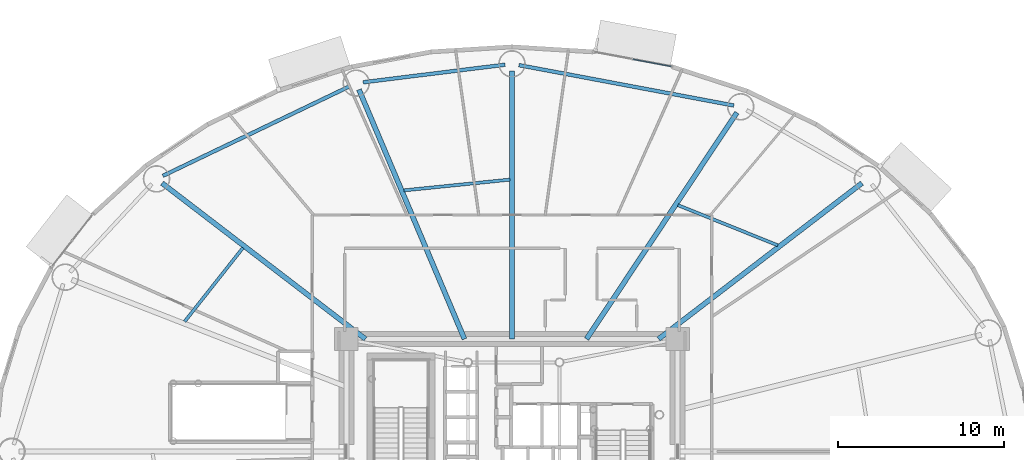
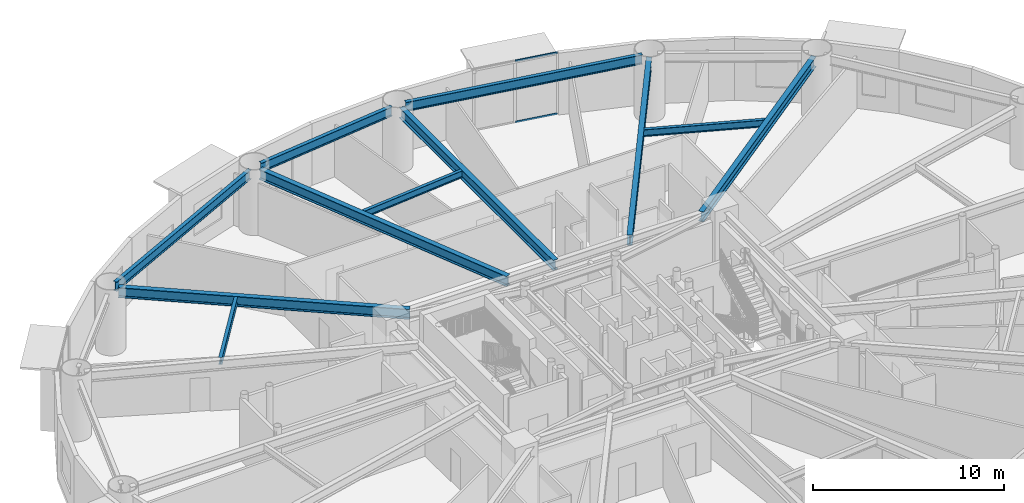
# One storey, part 11 of 28: 11 beams, 2 members, 1 element without a shape of its own.
"""IFC4 building model written with IfcOpenShell, lengths in metres."""

from ifc_helpers import new_model, si_unit, direction, frame, origin, origin_2d, place, context, subcontext, project, spatial, hollow_rectangle, i_section, extrude, source, transform, mapped, material, layer, layer_set, material_profile, profile_set, type_object, element, aggregate, save


model = new_model("IFC4")

# Units and contexts
model_context = context("Model", 3, precision=1e-05, world=origin(), true_north=direction((0.0, 1.0)))
body_context = subcontext(model_context, "Body", "Model", "MODEL_VIEW")
ifc_project = project(units=[si_unit("LENGTHUNIT", "METRE"), si_unit("AREAUNIT", "SQUARE_METRE"), si_unit("VOLUMEUNIT", "CUBIC_METRE"), si_unit("PLANEANGLEUNIT", "RADIAN"), si_unit("MASSUNIT", "GRAM", prefix="KILO")], contexts=[model_context])

# Site, building, storey
site_placement = place(None, origin())
site = spatial("IfcSite", under=ifc_project, at=site_placement, CompositionType="ELEMENT")
building_placement = place(site_placement, origin())
building = spatial("IfcBuilding", under=site, at=building_placement, Name="Linh Dai School and Residence Tower", CompositionType="ELEMENT")
storey_placement = place(building_placement, frame((0.0, 0.0, 57.60009765625)))
storey = spatial("IfcBuildingStorey", under=building, at=storey_placement, Name="L13", CompositionType="ELEMENT", Elevation=57.60009765625)

# Beams
ifc_material_1 = material(Name="Structural Steel S355JR", Category="steel")
ifc_material_profile_1 = material_profile(ifc_material_1, i_section(OverallWidth=0.219970703125, OverallDepth=0.60009765625, WebThickness=0.011962890625, FlangeThickness=0.01904296875, FilletRadius=0.02392578125, at=origin_2d()), Name="IPE 600")
ifc_profile_set_1 = profile_set([ifc_material_profile_1], Name="Structural Steel S355JR")
beam_type_1 = type_object("IfcBeamType", Name="BM-RB60", PredefinedType="BEAM", material=ifc_profile_set_1)
beam_1_placement = place(storey_placement, frame((49.32568359375, 47.776611328125, 3.64990234375), z_axis=(-0.982808389171, 0.184628465236, 0.0), x_axis=(-0.184628465236, -0.982808389171, 0.0)))
element("IfcBeam", 1, at=beam_1_placement, inside=storey, type_object=beam_type_1, Name="L13 Perimeter Elliptical Ring Beam 04", PredefinedType="BEAM", context=body_context, shape_type="SweptSolid", body=[
    extrude(i_section(OverallWidth=0.219970703125, OverallDepth=0.60009765625, WebThickness=0.011962890625, FlangeThickness=0.01904296875, FilletRadius=0.02392578125, at=origin_2d()), origin(), (0.0, 0.0, 1.0), 13.138671875),
])
beam_2_placement = place(storey_placement, frame((35.583251953125, 50.228271484375, 3.64990234375), z_axis=(-0.99240113372, -0.123044665842, 0.0), x_axis=(0.123044665842, -0.99240113372, 0.0)))
element("IfcBeam", 2, at=beam_2_placement, inside=storey, type_object=beam_type_1, Name="L13 Perimeter Elliptical Ring Beam 05", PredefinedType="BEAM", context=body_context, shape_type="SweptSolid", body=[
    extrude(i_section(OverallWidth=0.219970703125, OverallDepth=0.60009765625, WebThickness=0.011962890625, FlangeThickness=0.01904296875, FilletRadius=0.02392578125, at=origin_2d()), origin(), (0.0, 0.0, 1.0), 8.58935546875),
])
beam_3_placement = place(storey_placement, frame((26.263427734375, 48.938232421875, 3.64990234375), z_axis=(-0.901728693485, -0.432302398034, 0.0), x_axis=(0.432302398034, -0.901728693485, 0.0)))
element("IfcBeam", 3, at=beam_3_placement, inside=storey, type_object=beam_type_1, Name="L13 Perimeter Elliptical Ring Beam 06", PredefinedType="BEAM", context=body_context, shape_type="SweptSolid", body=[
    extrude(i_section(OverallWidth=0.219970703125, OverallDepth=0.60009765625, WebThickness=0.011962890625, FlangeThickness=0.01904296875, FilletRadius=0.02392578125, at=origin_2d()), origin(), (0.0, 0.0, 1.0), 12.462158203125),
])
ifc_material_profile_2 = material_profile(ifc_material_1, i_section(OverallWidth=0.300048828125, OverallDepth=0.64990234375, WebThickness=0.01611328125, FlangeThickness=0.031005859375, FilletRadius=0.027099609375, at=origin_2d()), Name="HEB 650")
ifc_profile_set_2 = profile_set([ifc_material_profile_2], Name="Structural Steel S355JR")
beam_type_2 = type_object("IfcBeamType", Name="BM-RG65", PredefinedType="BEAM", material=ifc_profile_set_2)
beam_4_placement = place(storey_placement, frame((44.804931640625, 33.75, 3.625), z_axis=(0.793637764155, 0.608390581212, 0.0), x_axis=(-0.608390581212, 0.793637764155, 0.0)))
element("IfcBeam", 4, at=beam_4_placement, inside=storey, type_object=beam_type_2, Name="L13 Primary Radial Floor Girder 03", PredefinedType="BEAM", context=body_context, shape_type="SweptSolid", body=[
    extrude(i_section(OverallWidth=0.300048828125, OverallDepth=0.64990234375, WebThickness=0.01611328125, FlangeThickness=0.031005859375, FilletRadius=0.027099609375, at=origin_2d()), origin(), (0.0, 0.0, 1.0), 15.390625),
])
beam_5_placement = place(storey_placement, frame((40.47998046875, 33.75, 3.625), z_axis=(0.55300421354, 0.833178456158, 0.0), x_axis=(-0.833178456158, 0.55300421354, 0.0)))
element("IfcBeam", 5, at=beam_5_placement, inside=storey, type_object=beam_type_2, Name="L13 Primary Radial Floor Girder 04", PredefinedType="BEAM", context=body_context, shape_type="SweptSolid", body=[
    extrude(i_section(OverallWidth=0.300048828125, OverallDepth=0.64990234375, WebThickness=0.01611328125, FlangeThickness=0.031005859375, FilletRadius=0.027099609375, at=origin_2d()), origin(), (0.0, 0.0, 1.0), 16.322021484375),
])
beam_6_placement = place(storey_placement, frame((36.0, 33.75, 3.625), z_axis=(0.0, 1.0, 0.0), x_axis=(-1.0, 0.0, 0.0)))
element("IfcBeam", 6, at=beam_6_placement, inside=storey, type_object=beam_type_2, Name="L13 Primary Radial Floor Girder 05", PredefinedType="BEAM", context=body_context, shape_type="SweptSolid", body=[
    extrude(i_section(OverallWidth=0.300048828125, OverallDepth=0.64990234375, WebThickness=0.01611328125, FlangeThickness=0.031005859375, FilletRadius=0.027099609375, at=origin_2d()), origin(), (0.0, 0.0, 1.0), 16.110107421875),
])
beam_7_placement = place(storey_placement, frame((33.14453125, 33.75, 3.625), z_axis=(-0.38962432485, 0.920973878829, 0.0), x_axis=(-0.920973878829, -0.38962432485, 0.0)))
element("IfcBeam", 7, at=beam_7_placement, inside=storey, type_object=beam_type_2, Name="L13 Primary Radial Floor Girder 06", PredefinedType="BEAM", context=body_context, shape_type="SweptSolid", body=[
    extrude(i_section(OverallWidth=0.300048828125, OverallDepth=0.64990234375, WebThickness=0.01611328125, FlangeThickness=0.031005859375, FilletRadius=0.027099609375, at=origin_2d()), origin(), (0.0, 0.0, 1.0), 16.2685546875),
])
beam_8_placement = place(storey_placement, frame((27.195068359375, 33.75, 3.625), z_axis=(-0.793637764155, 0.608390581212, 0.0), x_axis=(-0.608390581212, -0.793637764155, 0.0)))
element("IfcBeam", 8, at=beam_8_placement, inside=storey, type_object=beam_type_2, Name="L13 Primary Radial Floor Girder 07", PredefinedType="BEAM", context=body_context, shape_type="SweptSolid", body=[
    extrude(i_section(OverallWidth=0.300048828125, OverallDepth=0.64990234375, WebThickness=0.01611328125, FlangeThickness=0.031005859375, FilletRadius=0.027099609375, at=origin_2d()), origin(), (0.0, 0.0, 1.0), 15.390625),
])
ifc_material_profile_3 = material_profile(ifc_material_1, i_section(OverallWidth=0.18994140625, OverallDepth=0.449951171875, WebThickness=0.009521484375, FlangeThickness=0.0146484375, FilletRadius=0.02099609375, at=origin_2d()), Name="IPE 450")
ifc_profile_set_3 = profile_set([ifc_material_profile_3], Name="Structural Steel S355JR")
beam_type_3 = type_object("IfcBeamType", Name="BM-SB45", PredefinedType="BEAM", material=ifc_profile_set_3)
beam_9_placement = place(storey_placement, frame((51.962158203125, 39.377685546875, 3.724853515625), z_axis=(-0.927532778422, 0.3737418159, 0.0), x_axis=(-0.3737418159, -0.927532778422, 0.0)))
element("IfcBeam", 9, at=beam_9_placement, inside=storey, type_object=beam_type_3, Name="L13 Secondary Circumferential Floor Beam 02", PredefinedType="BEAM", context=body_context, shape_type="SweptSolid", body=[
    extrude(i_section(OverallWidth=0.18994140625, OverallDepth=0.449951171875, WebThickness=0.009521484375, FlangeThickness=0.0146484375, FilletRadius=0.02099609375, at=origin_2d()), origin(), (0.0, 0.0, 1.0), 6.459716796875),
])
beam_10_placement = place(storey_placement, frame((35.87060546875, 43.32421875, 3.724853515625), z_axis=(-0.994886521003, -0.100999061019, 0.0), x_axis=(0.100999061019, -0.994886521003, 0.0)))
element("IfcBeam", 10, at=beam_10_placement, inside=storey, type_object=beam_type_3, Name="L13 Secondary Circumferential Floor Beam 03", PredefinedType="BEAM", context=body_context, shape_type="SweptSolid", body=[
    extrude(i_section(OverallWidth=0.18994140625, OverallDepth=0.449951171875, WebThickness=0.009521484375, FlangeThickness=0.0146484375, FilletRadius=0.02099609375, at=origin_2d()), origin(), (0.0, 0.0, 1.0), 6.40087890625),
])
beam_11_placement = place(storey_placement, frame((19.836669921875, 39.22705078125, 3.724853515625), z_axis=(-0.620205247605, -0.78443957756, 0.0), x_axis=(0.78443957756, -0.620205247605, 0.0)))
element("IfcBeam", 11, at=beam_11_placement, inside=storey, type_object=beam_type_3, Name="L13 Secondary Circumferential Floor Beam 04", PredefinedType="BEAM", context=body_context, shape_type="SweptSolid", body=[
    extrude(i_section(OverallWidth=0.18994140625, OverallDepth=0.449951171875, WebThickness=0.009521484375, FlangeThickness=0.0146484375, FilletRadius=0.02099609375, at=origin_2d()), origin(), (0.0, 0.0, 1.0), 5.642822265625),
])

# Curtain wall, members
ifc_material_2 = material(Name="Aluminium Anodised Curtain Wall", Category="aluminium")
ifc_layer = layer(ifc_material_2, 0.159912109375)
ifc_layer_set = layer_set([ifc_layer], Name="Aluminium Anodised Curtain Wall")
curtain_wall_type = type_object("IfcCurtainWallType", Name="CW-SYS-3", PredefinedType="USERDEFINED", material=ifc_layer_set)
curtain_wall_placement = place(storey_placement, origin())
curtain_wall = element("IfcCurtainWall", 12, at=curtain_wall_placement, inside=storey, type_object=curtain_wall_type, Name="L13 CW3 Curtain Wall 09", ObjectType="RIBBON CURTAIN WALL", PredefinedType="USERDEFINED")
ifc_material_3 = material(Name="Aluminium Alloy 6063-T6", Category="aluminium")
ifc_material_profile_4 = material_profile(ifc_material_3, hollow_rectangle(XDim=0.054931640625, YDim=0.1201171875, WallThickness=0.00390625, at=origin_2d()), Name="RHS 120x55x4")
ifc_profile_set_4 = profile_set([ifc_material_profile_4], Name="Aluminium Alloy 6063-T6")
member_type = type_object("IfcMemberType", Name="CW-SYS-3-TRN", PredefinedType="USERDEFINED", material=ifc_profile_set_4)
shared_shape = source(origin(), body_context, "Body", "SweptSolid", [
    extrude(hollow_rectangle(XDim=0.054931640625, YDim=0.1201171875, WallThickness=0.00390625, at=origin_2d()), origin(), (0.0, 0.0, 1.0), 2.331787109375),
])
member_1_placement = place(storey_placement, frame((43.264892578125, 50.55419921875, 0.02734375), z_axis=(0.98277485102, -0.184806905183, 0.0), x_axis=(0.184806905183, 0.98277485102, 0.0)))
member_1 = element("IfcMember", 13, at=member_1_placement, type_object=member_type, Name="CW3 transom 2.1", ObjectType="TRANSOM", PredefinedType="USERDEFINED", context=body_context, shape_type="MappedRepresentation", body=[
    mapped(shared_shape, transform((0.0, 0.0, 0.0), x_axis=(1.0, 0.0, 0.0), y_axis=(0.0, 1.0, 0.0), z_axis=(0.0, 0.0, 1.0), scale=1.0)),
])
member_2_placement = place(storey_placement, frame((43.264892578125, 50.55419921875, 3.92236328125), z_axis=(0.98277485102, -0.184806905183, 0.0), x_axis=(0.184806905183, 0.98277485102, 0.0)))
member_2 = element("IfcMember", 14, at=member_2_placement, type_object=member_type, Name="CW3 transom 2.2", ObjectType="TRANSOM", PredefinedType="USERDEFINED", context=body_context, shape_type="MappedRepresentation", body=[
    mapped(shared_shape, transform((0.0, 0.0, 0.0), x_axis=(1.0, 0.0, 0.0), y_axis=(0.0, 1.0, 0.0), z_axis=(0.0, 0.0, 1.0), scale=1.0)),
])
aggregate(curtain_wall, [member_1, member_2])

save(model, "model.ifc")
